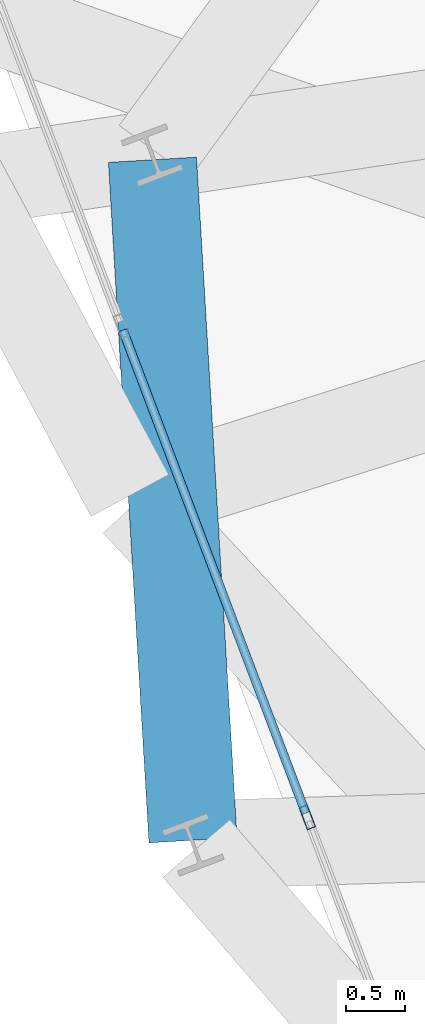
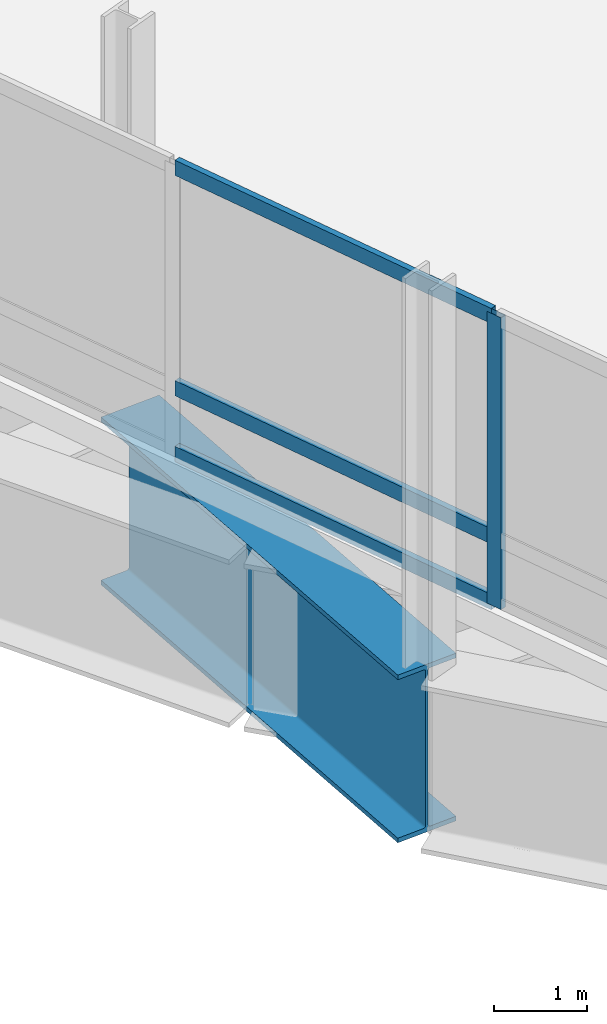
# One storey, part 5 of 19: 4 members, 1 beam, 1 element without a shape of its own.
"""IFC4 building model written with IfcOpenShell, lengths in metres."""

from ifc_helpers import new_model, si_unit, direction, frame, origin, origin_2d, place, context, subcontext, project, spatial, hollow_rectangle, i_section, extrude, material, layer, layer_set, material_profile, profile_set, type_object, element, aggregate, save


model = new_model("IFC4")

# Units and contexts
model_context = context("Model", 3, precision=1e-05, world=origin(), true_north=direction((0.0, 1.0)))
body_context = subcontext(model_context, "Body", "Model", "MODEL_VIEW")
ifc_project = project(units=[si_unit("LENGTHUNIT", "METRE"), si_unit("AREAUNIT", "SQUARE_METRE"), si_unit("VOLUMEUNIT", "CUBIC_METRE"), si_unit("PLANEANGLEUNIT", "RADIAN"), si_unit("MASSUNIT", "GRAM", prefix="KILO")], contexts=[model_context])

# Site, building, storey
site_placement = place(None, origin())
site = spatial("IfcSite", under=ifc_project, at=site_placement, CompositionType="ELEMENT")
building_placement = place(site_placement, origin())
building = spatial("IfcBuilding", under=site, at=building_placement, Name="Varnelok Gate Tower", CompositionType="ELEMENT")
storey_placement = place(building_placement, frame((0.0, 0.0, 207.89990234375)))
storey = spatial("IfcBuildingStorey", under=building, at=storey_placement, Name="L53", CompositionType="ELEMENT", Elevation=207.89990234375)

# Beam
ifc_material_1 = material(Name="Structural Steel ASTM A572 Grade 50", Category="steel")
ifc_material_profile_1 = material_profile(ifc_material_1, i_section(OverallWidth=0.75, OverallDepth=2.199951171875, WebThickness=0.031982421875, FlangeThickness=0.06005859375, FilletRadius=0.028076171875, at=origin_2d()), Name="PG2200X750")
ifc_profile_set_1 = profile_set([ifc_material_profile_1], Name="Structural Steel ASTM A572 Grade 50")
beam_type = type_object("IfcBeamType", Name="BM-TR-PG2200", PredefinedType="BEAM", material=ifc_profile_set_1)
beam_placement = place(storey_placement, frame((7.347412109375, 24.106689453125, -1.419921875), z_axis=(0.059470101815, -0.998230087199, 0.0), x_axis=(0.998230087199, 0.059470101815, 0.0)))
element("IfcBeam", 1, at=beam_placement, inside=storey, type_object=beam_type, Name="L53 Upper Perimeter Transfer Ring 14", PredefinedType="BEAM", context=body_context, shape_type="SweptSolid", body=[
    extrude(i_section(OverallWidth=0.75, OverallDepth=2.199951171875, WebThickness=0.031982421875, FlangeThickness=0.06005859375, FilletRadius=0.028076171875, at=origin_2d()), origin(), (0.0, 0.0, 1.0), 5.796630859375),
])

# Curtain wall, members
ifc_material_2 = material(Name="Anodized Aluminum Alloy 6063-T6", Category="aluminium")
ifc_layer = layer(ifc_material_2, 0.179931640625)
ifc_layer_set = layer_set([ifc_layer], Name="Anodized Aluminum Alloy 6063-T6")
curtain_wall_type = type_object("IfcCurtainWallType", Name="CW2-ATRIUM-GLAZING", PredefinedType="USERDEFINED", material=ifc_layer_set)
curtain_wall_placement = place(storey_placement, origin())
curtain_wall = element("IfcCurtainWall", 2, at=curtain_wall_placement, inside=storey, type_object=curtain_wall_type, Name="L53 West End Vision Curtain Wall", ObjectType="UNITISED CURTAIN WALL", PredefinedType="USERDEFINED")
ifc_material_profile_2 = material_profile(ifc_material_2, hollow_rectangle(XDim=0.074951171875, YDim=0.199951171875, WallThickness=0.00390625, at=origin_2d()), Name="ALU200X75X4")
ifc_profile_set_2 = profile_set([ifc_material_profile_2], Name="Anodized Aluminum Alloy 6063-T6")
member_type_1 = type_object("IfcMemberType", Name="CW-MULL-200", PredefinedType="MULLION", material=ifc_profile_set_2)
member_1_placement = place(storey_placement, frame((8.6640625, 18.515625, 0.0), z_axis=(0.0, 0.0, 1.0), x_axis=(-0.935221251863, -0.354063850264, 0.0)))
member_1 = element("IfcMember", 3, at=member_1_placement, type_object=member_type_1, Name="CW2 mullion 5", PredefinedType="MULLION", context=body_context, shape_type="SweptSolid", body=[
    extrude(hollow_rectangle(XDim=0.074951171875, YDim=0.199951171875, WallThickness=0.00390625, at=origin_2d()), origin(), (0.0, 0.0, 1.0), 3.830078125),
])
ifc_material_profile_3 = material_profile(ifc_material_2, hollow_rectangle(XDim=0.074951171875, YDim=0.199951171875, WallThickness=0.00390625, at=origin_2d()), Name="ALU200X75X4")
ifc_profile_set_3 = profile_set([ifc_material_profile_3], Name="Anodized Aluminum Alloy 6063-T6")
member_type_2 = type_object("IfcMemberType", Name="CW-TRAN-200", PredefinedType="USERDEFINED", material=ifc_profile_set_3)
member_2_placement = place(storey_placement, frame((8.65087890625, 18.550537109375, 0.03759765625), z_axis=(-0.354064266196, 0.935221094396, 0.0), x_axis=(-0.935221094396, -0.354064266196, 0.0)))
member_2 = element("IfcMember", 4, at=member_2_placement, type_object=member_type_2, Name="CW2 transom 5.1", ObjectType="TRANSOM", PredefinedType="USERDEFINED", context=body_context, shape_type="SweptSolid", body=[
    extrude(hollow_rectangle(XDim=0.074951171875, YDim=0.199951171875, WallThickness=0.00390625, at=origin_2d()), origin(), (0.0, 0.0, 1.0), 4.3916015625),
])
member_3_placement = place(storey_placement, frame((8.65087890625, 18.550537109375, 0.900146484375), z_axis=(-0.354064266196, 0.935221094396, 0.0), x_axis=(-0.935221094396, -0.354064266196, 0.0)))
member_3 = element("IfcMember", 5, at=member_3_placement, type_object=member_type_2, Name="CW2 transom 5.2", ObjectType="TRANSOM", PredefinedType="USERDEFINED", context=body_context, shape_type="SweptSolid", body=[
    extrude(hollow_rectangle(XDim=0.074951171875, YDim=0.199951171875, WallThickness=0.00390625, at=origin_2d()), origin(), (0.0, 0.0, 1.0), 4.3916015625),
])
member_4_placement = place(storey_placement, frame((8.65087890625, 18.550537109375, 3.79248046875), z_axis=(-0.354064266196, 0.935221094396, 0.0), x_axis=(-0.935221094396, -0.354064266196, 0.0)))
member_4 = element("IfcMember", 6, at=member_4_placement, type_object=member_type_2, Name="CW2 transom 5.3", ObjectType="TRANSOM", PredefinedType="USERDEFINED", context=body_context, shape_type="SweptSolid", body=[
    extrude(hollow_rectangle(XDim=0.074951171875, YDim=0.199951171875, WallThickness=0.00390625, at=origin_2d()), origin(), (0.0, 0.0, 1.0), 4.3916015625),
])
aggregate(curtain_wall, [member_1, member_2, member_3, member_4])

save(model, "model.ifc")
